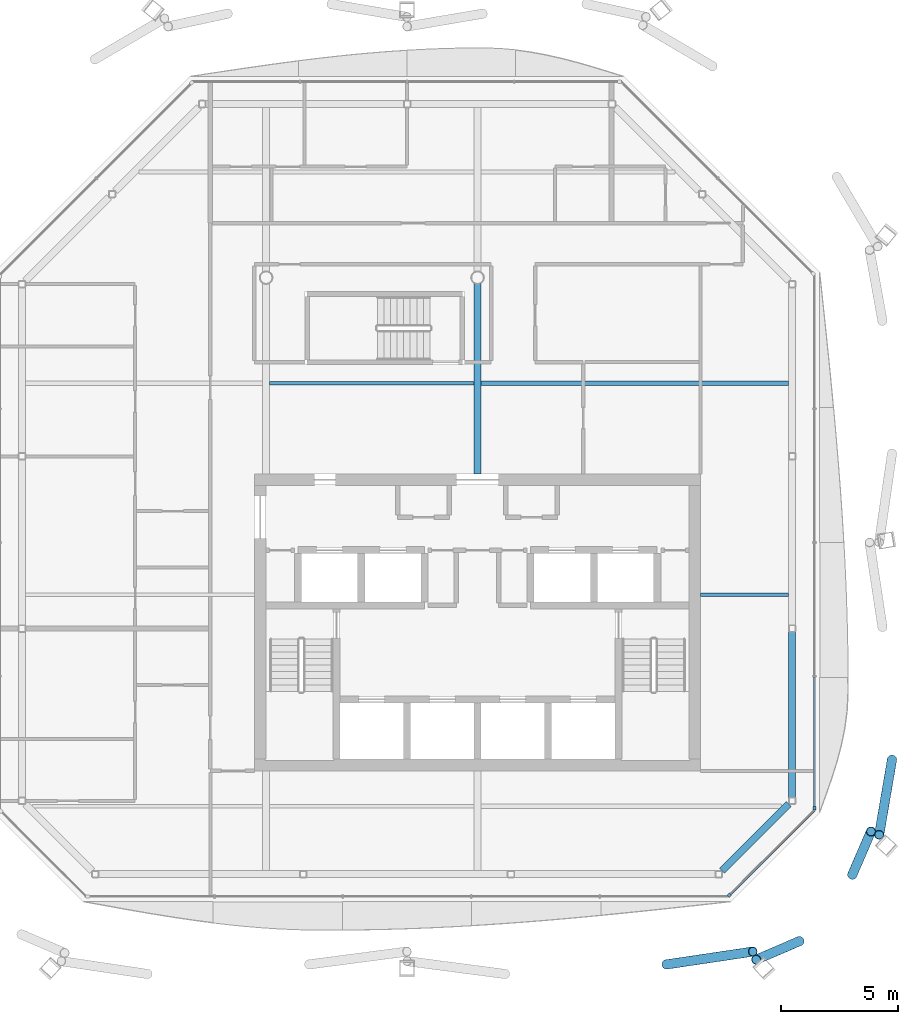
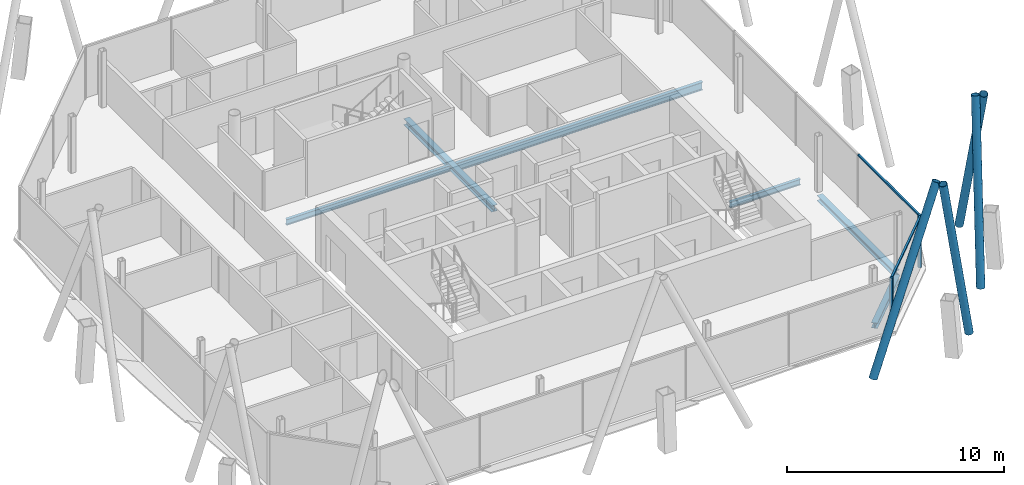
# One storey, part 6 of 16: 8 members, 6 beams, 2 elements without a shape of their own.
"""IFC4 building model written with IfcOpenShell, lengths in metres."""

from ifc_helpers import new_model, si_unit, direction, frame, origin, origin_2d, place, context, subcontext, project, spatial, rectangle, hollow_circle, i_section, extrude, material, material_profile, profile_set, type_object, element, aggregate, save


model = new_model("IFC4")

# Units and contexts
model_context = context("Model", 3, precision=1e-05, world=origin(), true_north=direction((0.0, 1.0)))
body_context = subcontext(model_context, "Body", "Model", "MODEL_VIEW")
ifc_project = project(units=[si_unit("LENGTHUNIT", "METRE"), si_unit("AREAUNIT", "SQUARE_METRE"), si_unit("VOLUMEUNIT", "CUBIC_METRE"), si_unit("PLANEANGLEUNIT", "RADIAN"), si_unit("MASSUNIT", "GRAM", prefix="KILO")], contexts=[model_context])

# Site, building, storey
site_placement = place(None, origin())
site = spatial("IfcSite", under=ifc_project, at=site_placement, CompositionType="ELEMENT")
building_placement = place(site_placement, origin())
building = spatial("IfcBuilding", under=site, at=building_placement, Name="Tskaro Facet Tower", CompositionType="ELEMENT")
storey_placement = place(building_placement, frame((0.0, 0.0, 245.550048828125)))
storey = spatial("IfcBuildingStorey", under=building, at=storey_placement, Name="L64", CompositionType="ELEMENT", Elevation=245.550048828125)

# Members
ifc_material_1 = material(Name="Steel S355J2H", Category="steel")
ifc_material_profile_1 = material_profile(ifc_material_1, hollow_circle(Radius=0.203125, WallThickness=0.02001953125, at=origin_2d()), Name="CHS 406.4x20")
ifc_profile_set_1 = profile_set([ifc_material_profile_1], Name="Steel S355J2H")
member_type_1 = type_object("IfcMemberType", Name="CHS 406.4x20 brace", PredefinedType="BRACE", material=ifc_profile_set_1)
member_1_placement = place(storey_placement, frame((8.039306640625, -20.23779296875, 0.0), z_axis=(0.362320562479, 0.053968263188, 0.930489783165), x_axis=(-0.14732632863, 0.989087939919, 0.0)))
element("IfcMember", 1, at=member_1_placement, inside=storey, type_object=member_type_1, Name="CHS 406.4x20 XB02A/5", PredefinedType="BRACE", context=body_context, shape_type="SweptSolid", body=[
    extrude(hollow_circle(Radius=0.203125, WallThickness=0.02001953125, at=origin_2d()), origin(), (0.0, 0.0, 1.0), 10.156005859375),
])
for number, where, z_axis, x_axis, name in (
    (2, (15.9560546875, -16.416748046875, 0.0), (0.082110284645, 0.190630309966, 0.978221849111), (-0.918425547164, 0.395593875479, 0.0), "CHS 406.4x20 XB03A/5"),
    (3, (13.7041015625, -19.243408203125, 0.0), (-0.19060595571, -0.082110680205, 0.978226561612), (0.395638117751, -0.918406489406, 0.0), "CHS 406.4x20 XB03B/5"),
):
    element("IfcMember", number, at=place(storey_placement, frame(where, z_axis=z_axis, x_axis=x_axis)), inside=storey, type_object=member_type_1, Name=name, PredefinedType="BRACE", context=body_context, shape_type="SweptSolid", body=[
        extrude(hollow_circle(Radius=0.203125, WallThickness=0.02001953125, at=origin_2d()), origin(), (0.0, 0.0, 1.0), 9.660400390625),
    ])
member_2_placement = place(storey_placement, frame((17.644287109375, -11.517578125, 0.0), z_axis=(-0.054850435244, -0.320380292811, 0.945699686863), x_axis=(0.985659069558, -0.168748921769, 0.0)))
element("IfcMember", 4, at=member_2_placement, inside=storey, type_object=member_type_1, Name="CHS 406.4x20 XB04B/5", PredefinedType="BRACE", context=body_context, shape_type="SweptSolid", body=[
    extrude(hollow_circle(Radius=0.203125, WallThickness=0.02001953125, at=origin_2d()), origin(), (0.0, 0.0, 1.0), 9.992431640625),
])

# Curtain wall, member
ifc_material_2 = material(Name="Bronze anodised aluminium 6063-T6", Category="aluminium")
curtain_wall_type = type_object("IfcCurtainWallType", Name="Bronze residence curtain wall (FW3)", PredefinedType="NOTDEFINED", material=ifc_material_2)
curtain_wall_1_placement = place(storey_placement, origin())
curtain_wall_1 = element("IfcCurtainWall", 5, at=curtain_wall_1_placement, inside=storey, type_object=curtain_wall_type, Name="FW3 south-east facet L64", PredefinedType="NOTDEFINED")
ifc_material_profile_2 = material_profile(ifc_material_2, rectangle(XDim=0.139892578125, YDim=0.139892578125, at=origin_2d()), Name="Corner post 140x140")
ifc_profile_set_2 = profile_set([ifc_material_profile_2], Name="Bronze anodised aluminium 6063-T6")
member_type_2 = type_object("IfcMemberType", Name="FW3 bronze corner post 140x140", PredefinedType="MULLION", material=ifc_profile_set_2)
member_3_placement = place(storey_placement, frame((10.71044921875, -17.29150390625, 0.0), z_axis=(0.0, 0.0, 1.0), x_axis=(0.707106781187, 0.707106781187, 0.0)))
member_3 = element("IfcMember", 6, at=member_3_placement, type_object=member_type_2, Name="FW3 south-east corner post", PredefinedType="MULLION", context=body_context, shape_type="SweptSolid", body=[
    extrude(rectangle(XDim=0.139892578125, YDim=0.139892578125, at=origin_2d()), origin(), (0.0, 0.0, 1.0), 2.949951171875),
])

curtain_wall_2_placement = place(storey_placement, origin())
curtain_wall_2 = element("IfcCurtainWall", 7, at=curtain_wall_2_placement, inside=storey, type_object=curtain_wall_type, Name="FW3 east facet L64", PredefinedType="NOTDEFINED")
member_4_placement = place(storey_placement, frame((14.341064453125, -13.591064453125, 0.0), z_axis=(0.0, 0.0, 1.0), x_axis=(0.0, 1.0, 0.0)))
member_4 = element("IfcMember", 8, at=member_4_placement, type_object=member_type_2, Name="FW3 east corner post", PredefinedType="MULLION", context=body_context, shape_type="SweptSolid", body=[
    extrude(rectangle(XDim=0.139892578125, YDim=0.139892578125, at=origin_2d()), origin(), (0.0, 0.0, 1.0), 2.949951171875),
])

# Member
ifc_material_profile_3 = material_profile(ifc_material_2, rectangle(XDim=0.10009765625, YDim=0.090087890625, at=origin_2d()), Name="Transom 100x90")
ifc_profile_set_3 = profile_set([ifc_material_profile_3], Name="Bronze anodised aluminium 6063-T6")
member_type_3 = type_object("IfcMemberType", Name="FW3 bronze transom 100x90", PredefinedType="USERDEFINED", material=ifc_profile_set_3)
member_5_placement = place(storey_placement, frame((10.760009765625, -17.241943359375, 2.905029296875), z_axis=(0.707106781187, 0.707106781187, 0.0), x_axis=(-0.707106781187, 0.707106781187, 0.0)))
member_5 = element("IfcMember", 9, at=member_5_placement, type_object=member_type_3, Name="FW3 south-east transom 1.1", ObjectType="TRANSOM", PredefinedType="USERDEFINED", context=body_context, shape_type="SweptSolid", body=[
    extrude(rectangle(XDim=0.10009765625, YDim=0.090087890625, at=origin_2d()), origin(), (0.0, 0.0, 1.0), 5.064453125),
])

aggregate(curtain_wall_1, [member_3, member_5])

member_6_placement = place(storey_placement, frame((14.341064453125, -13.52099609375, 2.905029296875), z_axis=(0.0, 1.0, 0.0), x_axis=(-1.0, 0.0, 0.0)))
member_6 = element("IfcMember", 10, at=member_6_placement, type_object=member_type_3, Name="FW3 east transom 1.1", ObjectType="TRANSOM", PredefinedType="USERDEFINED", context=body_context, shape_type="SweptSolid", body=[
    extrude(rectangle(XDim=0.10009765625, YDim=0.090087890625, at=origin_2d()), origin(), (0.0, 0.0, 1.0), 5.52978515625),
])

aggregate(curtain_wall_2, [member_4, member_6])

# Beams
ifc_material_3 = material(Name="Steel S355J2", Category="steel")
ifc_material_profile_4 = material_profile(ifc_material_3, i_section(OverallWidth=0.300048828125, OverallDepth=0.300048828125, WebThickness=0.010986328125, FlangeThickness=0.01904296875, FilletRadius=0.027099609375, at=origin_2d()), Name="HE 300 B")
ifc_profile_set_4 = profile_set([ifc_material_profile_4], Name="Steel S355J2")
beam_type_1 = type_object("IfcBeamType", Name="HE 300 B ring beam", PredefinedType="BEAM", material=ifc_profile_set_4)
beam_1_placement = place(storey_placement, frame((10.40380859375, -16.255126953125, -0.2900390625), z_axis=(0.707106781187, 0.707106781187, 0.0), x_axis=(-0.707106781187, 0.707106781187, 0.0)))
element("IfcBeam", 11, at=beam_1_placement, inside=storey, type_object=beam_type_1, Name="HE 300 B EB4-5", PredefinedType="BEAM", context=body_context, shape_type="SweptSolid", body=[
    extrude(i_section(OverallWidth=0.300048828125, OverallDepth=0.300048828125, WebThickness=0.010986328125, FlangeThickness=0.01904296875, FilletRadius=0.027099609375, at=origin_2d()), origin(), (0.0, 0.0, 1.0), 4.032470703125),
])
beam_2_placement = place(storey_placement, frame((13.39111328125, -13.137939453125, -0.2900390625), z_axis=(0.0, 1.0, 0.0), x_axis=(-1.0, 0.0, 0.0)))
element("IfcBeam", 12, at=beam_2_placement, inside=storey, type_object=beam_type_1, Name="HE 300 B EB5-5", PredefinedType="BEAM", context=body_context, shape_type="SweptSolid", body=[
    extrude(i_section(OverallWidth=0.300048828125, OverallDepth=0.300048828125, WebThickness=0.010986328125, FlangeThickness=0.01904296875, FilletRadius=0.027099609375, at=origin_2d()), origin(), (0.0, 0.0, 1.0), 7.071044921875),
])
ifc_material_profile_5 = material_profile(ifc_material_3, i_section(OverallWidth=0.300048828125, OverallDepth=0.35009765625, WebThickness=0.010009765625, FlangeThickness=0.017578125, FilletRadius=0.027099609375, at=origin_2d()), Name="HE 360 A")
ifc_profile_set_5 = profile_set([ifc_material_profile_5], Name="Steel S355J2")
beam_type_2 = type_object("IfcBeamType", Name="HE 360 A girder", PredefinedType="BEAM", material=ifc_profile_set_5)
beam_3_placement = place(storey_placement, frame((0.0, 0.64990234375, -0.31494140625), z_axis=(0.0, 1.0, 0.0), x_axis=(-1.0, 0.0, 0.0)))
element("IfcBeam", 13, at=beam_3_placement, inside=storey, type_object=beam_type_2, Name="HE 360 A GB4-2-5", PredefinedType="BEAM", context=body_context, shape_type="SweptSolid", body=[
    extrude(i_section(OverallWidth=0.300048828125, OverallDepth=0.35009765625, WebThickness=0.010009765625, FlangeThickness=0.017578125, FilletRadius=0.027099609375, at=origin_2d()), origin(), (0.0, 0.0, 1.0), 8.1005859375),
])
ifc_material_profile_6 = material_profile(ifc_material_3, i_section(OverallWidth=0.159912109375, OverallDepth=0.330078125, WebThickness=0.007568359375, FlangeThickness=0.011474609375, FilletRadius=0.01806640625, at=origin_2d()), Name="IPE 330")
ifc_profile_set_6 = profile_set([ifc_material_profile_6], Name="Steel S355J2")
beam_type_3 = type_object("IfcBeamType", Name="IPE 330 secondary beam", PredefinedType="BEAM", material=ifc_profile_set_6)
beam_4_placement = place(storey_placement, frame((9.5, -4.5, -0.304931640625), z_axis=(1.0, 0.0, 0.0), x_axis=(0.0, 1.0, 0.0)))
element("IfcBeam", 14, at=beam_4_placement, inside=storey, type_object=beam_type_3, Name="IPE 330 SB3a-2-5", PredefinedType="BEAM", context=body_context, shape_type="SweptSolid", body=[
    extrude(i_section(OverallWidth=0.159912109375, OverallDepth=0.330078125, WebThickness=0.007568359375, FlangeThickness=0.011474609375, FilletRadius=0.01806640625, at=origin_2d()), origin(), (0.0, 0.0, 1.0), 3.740966796875),
])
beam_5_placement = place(storey_placement, frame((-8.85009765625, 4.5, -0.304931640625), z_axis=(1.0, 0.0, 0.0), x_axis=(0.0, 1.0, 0.0)))
element("IfcBeam", 15, at=beam_5_placement, inside=storey, type_object=beam_type_3, Name="IPE 330 SB4a-2-5", PredefinedType="BEAM", context=body_context, shape_type="SweptSolid", body=[
    extrude(i_section(OverallWidth=0.159912109375, OverallDepth=0.330078125, WebThickness=0.007568359375, FlangeThickness=0.011474609375, FilletRadius=0.01806640625, at=origin_2d()), origin(), (0.0, 0.0, 1.0), 8.7001953125),
])
ifc_material_profile_7 = material_profile(ifc_material_3, i_section(OverallWidth=0.18994140625, OverallDepth=0.449951171875, WebThickness=0.009521484375, FlangeThickness=0.0146484375, FilletRadius=0.02099609375, at=origin_2d()), Name="IPE 450")
ifc_profile_set_7 = profile_set([ifc_material_profile_7], Name="Steel S355J2")
beam_type_4 = type_object("IfcBeamType", Name="IPE 450 long secondary beam", PredefinedType="BEAM", material=ifc_profile_set_7)
beam_6_placement = place(storey_placement, frame((0.14990234375, 4.5, -0.364990234375), z_axis=(1.0, 0.0, 0.0), x_axis=(0.0, 1.0, 0.0)))
element("IfcBeam", 16, at=beam_6_placement, inside=storey, type_object=beam_type_4, Name="IPE 450 LSB4a-3-5", PredefinedType="BEAM", context=body_context, shape_type="SweptSolid", body=[
    extrude(i_section(OverallWidth=0.18994140625, OverallDepth=0.449951171875, WebThickness=0.009521484375, FlangeThickness=0.0146484375, FilletRadius=0.02099609375, at=origin_2d()), origin(), (0.0, 0.0, 1.0), 13.091064453125),
])

save(model, "model.ifc")
